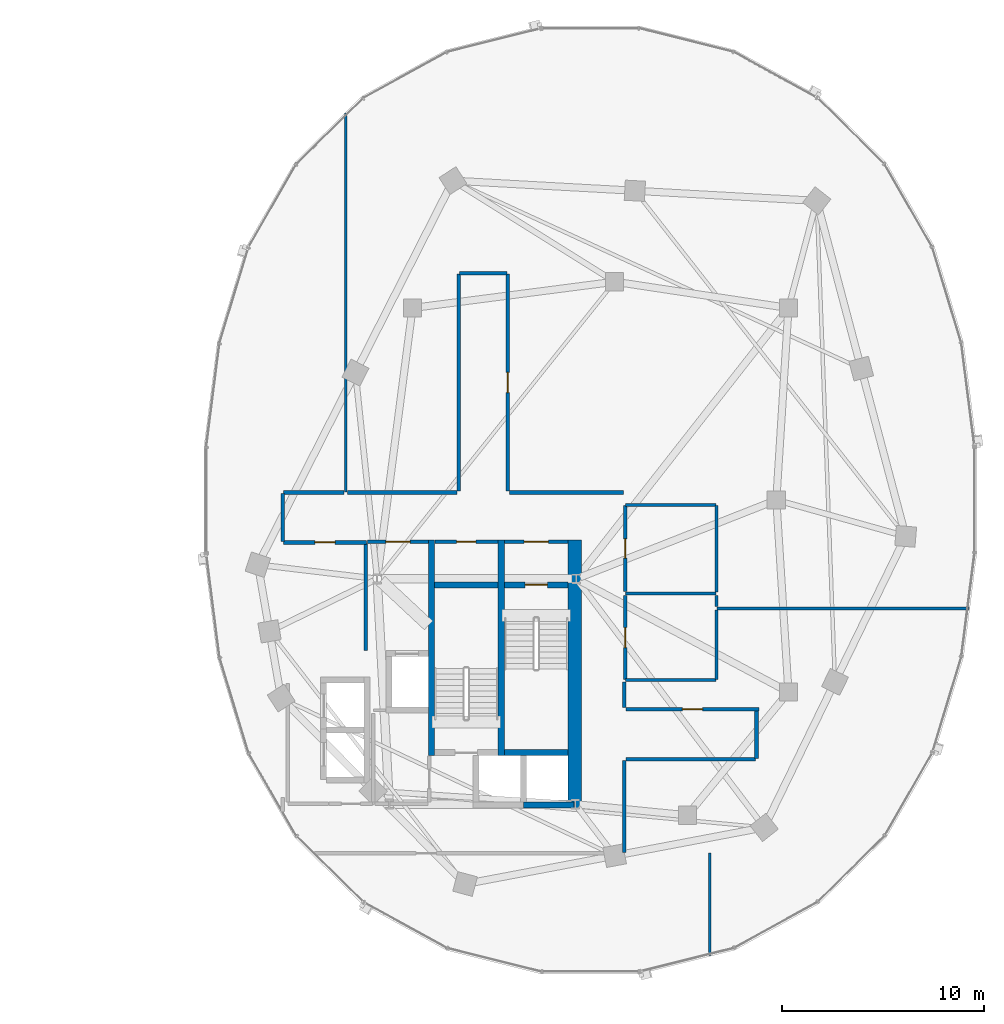
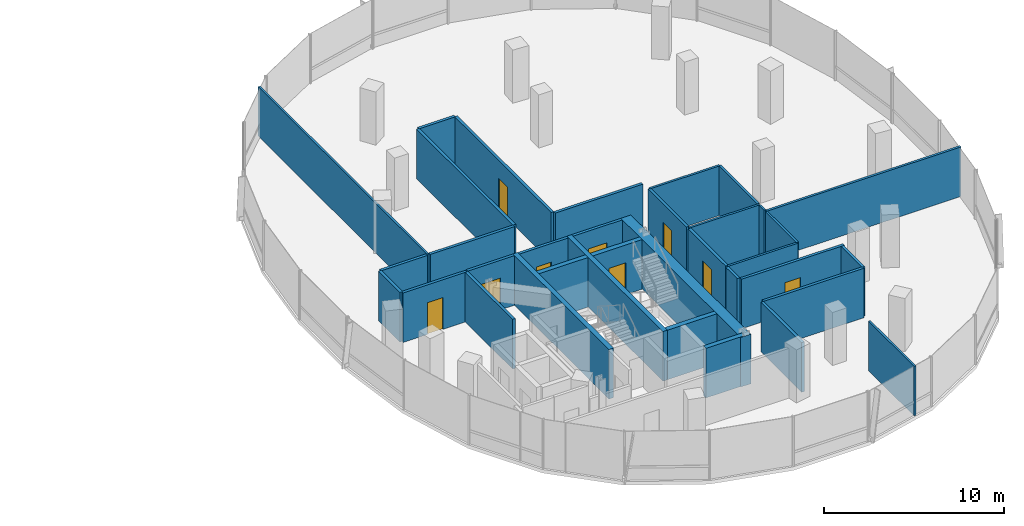
# One storey, part 14 of 22: 35 walls, 9 doors, 9 openings.
"""IFC4 building model written with IfcOpenShell, lengths in metres."""

from ifc_helpers import new_model, si_unit, direction, frame, frame_2d, origin, place, context, subcontext, project, spatial, rectangle, extrude, material, layer, layer_set, type_object, element, fill, save


model = new_model("IFC4")

# Units and contexts
model_context = context("Model", 3, precision=1e-05, world=origin(), true_north=direction((0.0, 1.0)))
body_context = subcontext(model_context, "Body", "Model", "MODEL_VIEW")
ifc_project = project(units=[si_unit("LENGTHUNIT", "METRE"), si_unit("AREAUNIT", "SQUARE_METRE"), si_unit("VOLUMEUNIT", "CUBIC_METRE"), si_unit("PLANEANGLEUNIT", "RADIAN"), si_unit("MASSUNIT", "GRAM", prefix="KILO"), si_unit("THERMODYNAMICTEMPERATUREUNIT", "KELVIN"), si_unit("POWERUNIT", "WATT")], contexts=[model_context])

# Site, building, storey
site_placement = place(None, origin())
site = spatial("IfcSite", under=ifc_project, at=site_placement, CompositionType="ELEMENT")
building_placement = place(site_placement, origin())
building = spatial("IfcBuilding", under=site, at=building_placement, Name="Cundina Bronze Exchange", CompositionType="ELEMENT")
storey_placement = place(building_placement, frame((0.0, 0.0, 140.39990234375)))
storey = spatial("IfcBuildingStorey", under=building, at=storey_placement, Name="L36", CompositionType="ELEMENT", Elevation=140.39990234375)

# Wall
ifc_material_1 = material(Name="Gypsum Fireboard Partition EI120")
ifc_layer_1 = layer(ifc_material_1, 0.179931640625, Name="Gypsum Fireboard Partition EI120")
ifc_layer_set_1 = layer_set([ifc_layer_1], Name="Gypsum Fireboard Partition EI120")
wall_type_1 = type_object("IfcWallType", Name="WL-COR-180", PredefinedType="PARTITIONING", material=ifc_layer_set_1)
wall_1_placement = place(storey_placement, frame((20.889892578125, -7.449951171875, 0.0), z_axis=(0.0, 0.0, 1.0), x_axis=(0.0, 1.0, 0.0)))
element("IfcWall", 1, at=wall_1_placement, inside=storey, type_object=wall_type_1, Name="L36 E Firefighting Lobby Side Wall", PredefinedType="PARTITIONING", context=body_context, shape_type="SweptSolid", body=[
    extrude(rectangle(XDim=5.300048828125, YDim=0.179931640625, at=frame_2d((2.64990234375, 0.0))), origin(), (0.0, 0.0, 1.0), 3.360107421875),
])

# Wall, opening, door
wall_2_placement = place(storey_placement, frame((20.97998046875, -2.06005859375, 0.0), z_axis=(0.0, 0.0, 1.0), x_axis=(1.0, 0.0, 0.0)))
wall_2 = element("IfcWall", 2, at=wall_2_placement, inside=storey, type_object=wall_type_1, Name="L36 E Firefighting Lobby Exit Wall", PredefinedType="PARTITIONING", context=body_context, shape_type="SweptSolid", body=[
    extrude(rectangle(XDim=3.0, YDim=0.179931640625, at=frame_2d((1.5, 0.0))), origin(), (0.0, 0.0, 1.0), 3.360107421875),
])
opening_1_placement = place(wall_2_placement, frame((0.89990234375, 0.0, 0.0)))
opening_1 = element("IfcOpeningElement", 3, at=opening_1_placement, cuts=wall_2, Name="Opening DF-01", PredefinedType="OPENING", context=body_context, shape_type="SweptSolid", body=[
    extrude(rectangle(XDim=1.199951171875, YDim=2.14990234375, at=frame_2d((0.60009765625, 1.074951171875))), frame((0.0, 0.099853515625, 0.0), z_axis=(0.0, -1.0, 0.0), x_axis=(1.0, 0.0, 0.0)), (0.0, 0.0, 1.0), 0.199951171875),
])
ifc_material_2 = material(Name="Steel ASTM A36 Painted", Category="steel")
door_type_1 = type_object("IfcDoorType", Name="DR-FFL-1200", OperationType="NOTDEFINED", PredefinedType="DOOR", material=ifc_material_2)
door_1_placement = place(opening_1_placement, origin())
door_1 = element("IfcDoor", 4, at=door_1_placement, inside=storey, type_object=door_type_1, Name="L36 E Firefighting Lobby Door", OperationType="SINGLE_SWING_LEFT", OverallHeight=2.14990234375, OverallWidth=1.199951171875, PredefinedType="DOOR", context=body_context, shape_type="SweptSolid", body=[
    extrude(rectangle(XDim=1.199951171875, YDim=2.14990234375, at=frame_2d((0.60009765625, 1.074951171875))), frame((0.0, 0.02490234375, 0.0), z_axis=(0.0, -1.0, 0.0), x_axis=(1.0, 0.0, 0.0)), (0.0, 0.0, 1.0), 0.050048828125),
])
fill(opening_1, door_1)

wall_3_placement = place(storey_placement, frame((27.739990234375, -2.06005859375, 0.0), z_axis=(0.0, 0.0, 1.0), x_axis=(1.0, 0.0, 0.0)))
wall_3 = element("IfcWall", 5, at=wall_3_placement, inside=storey, type_object=wall_type_1, Name="L36 E Stair Vestibule Exit Wall", PredefinedType="PARTITIONING", context=body_context, shape_type="SweptSolid", body=[
    extrude(rectangle(XDim=3.159912109375, YDim=0.179931640625, at=frame_2d((1.580078125, 0.0))), origin(), (0.0, 0.0, 1.0), 3.360107421875),
])
opening_2_placement = place(wall_3_placement, frame((0.97998046875, 0.0, 0.0)))
opening_2 = element("IfcOpeningElement", 6, at=opening_2_placement, cuts=wall_3, Name="Opening DF-01", PredefinedType="OPENING", context=body_context, shape_type="SweptSolid", body=[
    extrude(rectangle(XDim=1.199951171875, YDim=2.14990234375, at=frame_2d((0.60009765625, 1.074951171875))), frame((0.0, 0.099853515625, 0.0), z_axis=(0.0, -1.0, 0.0), x_axis=(1.0, 0.0, 0.0)), (0.0, 0.0, 1.0), 0.199951171875),
])
door_2_placement = place(opening_2_placement, origin())
door_2 = element("IfcDoor", 7, at=door_2_placement, inside=storey, type_object=door_type_1, Name="L36 E Stair Vestibule Door", OperationType="SINGLE_SWING_RIGHT", OverallHeight=2.14990234375, OverallWidth=1.199951171875, PredefinedType="DOOR", context=body_context, shape_type="SweptSolid", body=[
    extrude(rectangle(XDim=1.199951171875, YDim=2.14990234375, at=frame_2d((0.60009765625, 1.074951171875))), frame((0.0, 0.02490234375, 0.0), z_axis=(0.0, -1.0, 0.0), x_axis=(1.0, 0.0, 0.0)), (0.0, 0.0, 1.0), 0.050048828125),
])
fill(opening_2, door_2)

wall_4_placement = place(storey_placement, frame((24.300048828125, -2.070068359375, 0.0), z_axis=(0.0, 0.0, 1.0), x_axis=(1.0, 0.0, 0.0)))
wall_4 = element("IfcWall", 8, at=wall_4_placement, inside=storey, type_object=wall_type_1, Name="L36 Interior Partition 044", PredefinedType="PARTITIONING", context=body_context, shape_type="SweptSolid", body=[
    extrude(rectangle(XDim=3.119873046875, YDim=0.179931640625, at=frame_2d((1.56005859375, 0.0))), origin(), (0.0, 0.0, 1.0), 3.360107421875),
])
opening_3_placement = place(wall_4_placement, frame((1.0849609375, 0.0, 0.0)))
opening_3 = element("IfcOpeningElement", 9, at=opening_3_placement, cuts=wall_4, Name="Opening DW-01", PredefinedType="OPENING", context=body_context, shape_type="SweptSolid", body=[
    extrude(rectangle(XDim=0.949951171875, YDim=2.10009765625, at=frame_2d((0.47509765625, 1.050048828125))), frame((0.0, 0.099853515625, 0.0), z_axis=(0.0, -1.0, 0.0), x_axis=(1.0, 0.0, 0.0)), (0.0, 0.0, 1.0), 0.199951171875),
])
ifc_material_3 = material(Name="Solid Andean Oak Timber Grade A", Category="wood")
door_type_2 = type_object("IfcDoorType", Name="DR-WC-950", OperationType="NOTDEFINED", PredefinedType="DOOR", material=ifc_material_3)
door_3_placement = place(opening_3_placement, origin())
door_3 = element("IfcDoor", 10, at=door_3_placement, inside=storey, type_object=door_type_2, Name="L36 Interior Door 044", OperationType="SINGLE_SWING_RIGHT", OverallHeight=2.10009765625, OverallWidth=0.949951171875, PredefinedType="DOOR", context=body_context, shape_type="SweptSolid", body=[
    extrude(rectangle(XDim=0.949951171875, YDim=2.10009765625, at=frame_2d((0.47509765625, 1.050048828125))), frame((0.0, 0.02490234375, 0.0), z_axis=(0.0, -1.0, 0.0), x_axis=(1.0, 0.0, 0.0)), (0.0, 0.0, 1.0), 0.050048828125),
])
fill(opening_3, door_3)

wall_5_placement = place(storey_placement, frame((33.719970703125, -4.530029296875, 0.0), z_axis=(0.0, 0.0, 1.0), x_axis=(0.0, 1.0, 0.0)))
wall_5 = element("IfcWall", 11, at=wall_5_placement, inside=storey, type_object=wall_type_1, Name="L36 Interior Partition 052", PredefinedType="PARTITIONING", context=body_context, shape_type="SweptSolid", body=[
    extrude(rectangle(XDim=4.260009765625, YDim=0.179931640625, at=frame_2d((2.1298828125, 0.0))), origin(), (0.0, 0.0, 1.0), 3.360107421875),
])
opening_4_placement = place(wall_5_placement, frame((1.655029296875, 0.0, 0.0)))
opening_4 = element("IfcOpeningElement", 12, at=opening_4_placement, cuts=wall_5, Name="Opening DW-01", PredefinedType="OPENING", context=body_context, shape_type="SweptSolid", body=[
    extrude(rectangle(XDim=0.949951171875, YDim=2.10009765625, at=frame_2d((0.47509765625, 1.050048828125))), frame((0.0, 0.099853515625, 0.0), z_axis=(0.0, -1.0, 0.0), x_axis=(1.0, 0.0, 0.0)), (0.0, 0.0, 1.0), 0.199951171875),
])
door_4_placement = place(opening_4_placement, origin())
door_4 = element("IfcDoor", 13, at=door_4_placement, inside=storey, type_object=door_type_2, Name="L36 Interior Door 052", OperationType="SINGLE_SWING_LEFT", OverallHeight=2.10009765625, OverallWidth=0.949951171875, PredefinedType="DOOR", context=body_context, shape_type="SweptSolid", body=[
    extrude(rectangle(XDim=0.949951171875, YDim=2.10009765625, at=frame_2d((0.47509765625, 1.050048828125))), frame((0.0, 0.02490234375, 0.0), z_axis=(0.0, -1.0, 0.0), x_axis=(1.0, 0.0, 0.0)), (0.0, 0.0, 1.0), 0.050048828125),
])
fill(opening_4, door_4)

wall_6_placement = place(storey_placement, frame((33.719970703125, -8.889892578125, 0.0), z_axis=(0.0, 0.0, 1.0), x_axis=(0.0, 1.0, 0.0)))
wall_6 = element("IfcWall", 14, at=wall_6_placement, inside=storey, type_object=wall_type_1, Name="L36 Interior Partition 053", PredefinedType="PARTITIONING", context=body_context, shape_type="SweptSolid", body=[
    extrude(rectangle(XDim=4.159912109375, YDim=0.179931640625, at=frame_2d((2.080078125, 0.0))), origin(), (0.0, 0.0, 1.0), 3.360107421875),
])
opening_5_placement = place(wall_6_placement, frame((1.580078125, 0.0, 0.0)))
opening_5 = element("IfcOpeningElement", 15, at=opening_5_placement, cuts=wall_6, Name="Opening DO-01", PredefinedType="OPENING", context=body_context, shape_type="SweptSolid", body=[
    extrude(rectangle(XDim=1.0, YDim=2.14990234375, at=frame_2d((0.5, 1.074951171875))), frame((0.0, 0.099853515625, 0.0), z_axis=(0.0, -1.0, 0.0), x_axis=(1.0, 0.0, 0.0)), (0.0, 0.0, 1.0), 0.199951171875),
])
door_type_3 = type_object("IfcDoorType", Name="DR-OFF-1000", OperationType="NOTDEFINED", PredefinedType="DOOR", material=ifc_material_3)
door_5_placement = place(opening_5_placement, origin())
door_5 = element("IfcDoor", 16, at=door_5_placement, inside=storey, type_object=door_type_3, Name="L36 Interior Door 053", OperationType="SINGLE_SWING_LEFT", OverallHeight=2.14990234375, OverallWidth=1.0, PredefinedType="DOOR", context=body_context, shape_type="SweptSolid", body=[
    extrude(rectangle(XDim=1.0, YDim=2.14990234375, at=frame_2d((0.5, 1.074951171875))), frame((0.0, 0.02490234375, 0.0), z_axis=(0.0, -1.0, 0.0), x_axis=(1.0, 0.0, 0.0)), (0.0, 0.0, 1.0), 0.050048828125),
])
fill(opening_5, door_5)

# Walls
wall_7_placement = place(storey_placement, frame((33.75, -12.820068359375, 0.0), z_axis=(0.0, 0.0, 1.0), x_axis=(1.0, 0.0, 0.0)))
element("IfcWall", 17, at=wall_7_placement, inside=storey, type_object=wall_type_1, Name="L36 Interior Partition 058", PredefinedType="PARTITIONING", context=body_context, shape_type="SweptSolid", body=[
    extrude(rectangle(XDim=6.428466796875, YDim=0.179931640625, at=frame_2d((3.21435546875, 0.0))), origin(), (0.0, 0.0, 1.0), 3.360107421875),
])
wall_8_placement = place(storey_placement, frame((33.669921875, -17.428466796875, 0.0), z_axis=(0.0, 0.0, 1.0), x_axis=(0.0, 1.0, 0.0)))
element("IfcWall", 18, at=wall_8_placement, inside=storey, type_object=wall_type_1, Name="L36 Interior Partition 059", PredefinedType="PARTITIONING", context=body_context, shape_type="SweptSolid", body=[
    extrude(rectangle(XDim=4.528564453125, YDim=0.179931640625, at=frame_2d((2.26416015625, 0.0))), origin(), (0.0, 0.0, 1.0), 3.360107421875),
])
wall_9_placement = place(storey_placement, frame((40.219970703125, -12.778564453125, 0.0), z_axis=(0.0, 0.0, 1.0), x_axis=(0.0, 1.0, 0.0)))
element("IfcWall", 19, at=wall_9_placement, inside=storey, type_object=wall_type_1, Name="L36 Interior Partition 060", PredefinedType="PARTITIONING", context=body_context, shape_type="SweptSolid", body=[
    extrude(rectangle(XDim=2.32861328125, YDim=0.179931640625, at=frame_2d((1.164306640625, 0.0))), origin(), (0.0, 0.0, 1.0), 3.360107421875),
])

# Wall, opening, door
wall_10_placement = place(storey_placement, frame((40.352783203125, -10.35009765625, 0.0), z_axis=(0.0, 0.0, 1.0), x_axis=(-1.0, 0.0, 0.0)))
wall_10 = element("IfcWall", 20, at=wall_10_placement, inside=storey, type_object=wall_type_1, Name="L36 Interior Partition 061", PredefinedType="PARTITIONING", context=body_context, shape_type="SweptSolid", body=[
    extrude(rectangle(XDim=6.602783203125, YDim=0.179931640625, at=frame_2d((3.30126953125, 0.0))), origin(), (0.0, 0.0, 1.0), 3.360107421875),
])
opening_6_placement = place(wall_10_placement, frame((2.801513671875, 0.0, 0.0)))
opening_6 = element("IfcOpeningElement", 21, at=opening_6_placement, cuts=wall_10, Name="Opening DO-01", PredefinedType="OPENING", context=body_context, shape_type="SweptSolid", body=[
    extrude(rectangle(XDim=1.0, YDim=2.14990234375, at=frame_2d((0.5, 1.074951171875))), frame((0.0, 0.099853515625, 0.0), z_axis=(0.0, -1.0, 0.0), x_axis=(1.0, 0.0, 0.0)), (0.0, 0.0, 1.0), 0.199951171875),
])
door_6_placement = place(opening_6_placement, origin())
door_6 = element("IfcDoor", 22, at=door_6_placement, inside=storey, type_object=door_type_3, Name="L36 Interior Door 061", OperationType="SINGLE_SWING_LEFT", OverallHeight=2.14990234375, OverallWidth=1.0, PredefinedType="DOOR", context=body_context, shape_type="SweptSolid", body=[
    extrude(rectangle(XDim=1.0, YDim=2.14990234375, at=frame_2d((0.5, 1.074951171875))), frame((0.0, 0.02490234375, 0.0), z_axis=(0.0, -1.0, 0.0), x_axis=(1.0, 0.0, 0.0)), (0.0, 0.0, 1.0), 0.050048828125),
])
fill(opening_6, door_6)

# Wall
wall_11_placement = place(storey_placement, frame((33.669921875, -10.27001953125, 0.0), z_axis=(0.0, 0.0, 1.0), x_axis=(0.0, 1.0, 0.0)))
element("IfcWall", 23, at=wall_11_placement, inside=storey, type_object=wall_type_1, Name="L36 Interior Partition 062", PredefinedType="PARTITIONING", context=body_context, shape_type="SweptSolid", body=[
    extrude(rectangle(XDim=1.2685546875, YDim=0.179931640625, at=frame_2d((0.63427734375, 0.0))), origin(), (0.0, 0.0, 1.0), 3.360107421875),
])

# Wall, opening, door
wall_12_placement = place(storey_placement, frame((16.821533203125, -2.10009765625, 0.0), z_axis=(0.0, 0.0, 1.0), x_axis=(1.0, 0.0, 0.0)))
wall_12 = element("IfcWall", 24, at=wall_12_placement, inside=storey, type_object=wall_type_1, Name="L36 Interior Partition 063", PredefinedType="PARTITIONING", context=body_context, shape_type="SweptSolid", body=[
    extrude(rectangle(XDim=4.098388671875, YDim=0.179931640625, at=frame_2d((2.04931640625, 0.0))), origin(), (0.0, 0.0, 1.0), 3.360107421875),
])
opening_7_placement = place(wall_12_placement, frame((1.54931640625, 0.0, 0.0)))
opening_7 = element("IfcOpeningElement", 25, at=opening_7_placement, cuts=wall_12, Name="Opening DO-01", PredefinedType="OPENING", context=body_context, shape_type="SweptSolid", body=[
    extrude(rectangle(XDim=1.0, YDim=2.14990234375, at=frame_2d((0.5, 1.074951171875))), frame((0.0, 0.099853515625, 0.0), z_axis=(0.0, -1.0, 0.0), x_axis=(1.0, 0.0, 0.0)), (0.0, 0.0, 1.0), 0.199951171875),
])
door_7_placement = place(opening_7_placement, origin())
door_7 = element("IfcDoor", 26, at=door_7_placement, inside=storey, type_object=door_type_3, Name="L36 Interior Door 063", OperationType="SINGLE_SWING_RIGHT", OverallHeight=2.14990234375, OverallWidth=1.0, PredefinedType="DOOR", context=body_context, shape_type="SweptSolid", body=[
    extrude(rectangle(XDim=1.0, YDim=2.14990234375, at=frame_2d((0.5, 1.074951171875))), frame((0.0, 0.02490234375, 0.0), z_axis=(0.0, -1.0, 0.0), x_axis=(1.0, 0.0, 0.0)), (0.0, 0.0, 1.0), 0.050048828125),
])
fill(opening_7, door_7)

# Walls
wall_13_placement = place(storey_placement, frame((19.81005859375, 0.3701171875, 0.0), z_axis=(0.0, 0.0, 1.0), x_axis=(-1.0, 0.0, 0.0)))
element("IfcWall", 27, at=wall_13_placement, inside=storey, type_object=wall_type_1, Name="L36 Interior Partition 064", PredefinedType="PARTITIONING", context=body_context, shape_type="SweptSolid", body=[
    extrude(rectangle(XDim=2.988525390625, YDim=0.179931640625, at=frame_2d((1.494140625, 0.0))), origin(), (0.0, 0.0, 1.0), 3.360107421875),
])
wall_14_placement = place(storey_placement, frame((16.780029296875, 0.32861328125, 0.0), z_axis=(0.0, 0.0, 1.0), x_axis=(0.0, -1.0, 0.0)))
element("IfcWall", 28, at=wall_14_placement, inside=storey, type_object=wall_type_1, Name="L36 Interior Partition 065", PredefinedType="PARTITIONING", context=body_context, shape_type="SweptSolid", body=[
    extrude(rectangle(XDim=2.38720703125, YDim=0.179931640625, at=frame_2d((1.193603515625, 0.0))), origin(), (0.0, 0.0, 1.0), 3.360107421875),
])

# Wall, opening, door
wall_15_placement = place(storey_placement, frame((27.919921875, 0.449951171875, 0.0), z_axis=(0.0, 0.0, 1.0), x_axis=(0.0, 1.0, 0.0)))
wall_15 = element("IfcWall", 29, at=wall_15_placement, inside=storey, type_object=wall_type_1, Name="L36 Interior Partition 067", PredefinedType="PARTITIONING", context=body_context, shape_type="SweptSolid", body=[
    extrude(rectangle(XDim=10.728515625, YDim=0.179931640625, at=frame_2d((5.3642578125, 0.0))), origin(), (0.0, 0.0, 1.0), 3.360107421875),
])
opening_8_placement = place(wall_15_placement, frame((4.8642578125, 0.0, 0.0)))
opening_8 = element("IfcOpeningElement", 30, at=opening_8_placement, cuts=wall_15, Name="Opening DO-01", PredefinedType="OPENING", context=body_context, shape_type="SweptSolid", body=[
    extrude(rectangle(XDim=1.0, YDim=2.14990234375, at=frame_2d((0.5, 1.074951171875))), frame((0.0, 0.099853515625, 0.0), z_axis=(0.0, -1.0, 0.0), x_axis=(1.0, 0.0, 0.0)), (0.0, 0.0, 1.0), 0.199951171875),
])
door_8_placement = place(opening_8_placement, origin())
door_8 = element("IfcDoor", 31, at=door_8_placement, inside=storey, type_object=door_type_3, Name="L36 Interior Door 067", OperationType="SINGLE_SWING_RIGHT", OverallHeight=2.14990234375, OverallWidth=1.0, PredefinedType="DOOR", context=body_context, shape_type="SweptSolid", body=[
    extrude(rectangle(XDim=1.0, YDim=2.14990234375, at=frame_2d((0.5, 1.074951171875))), frame((0.0, 0.02490234375, 0.0), z_axis=(0.0, -1.0, 0.0), x_axis=(1.0, 0.0, 0.0)), (0.0, 0.0, 1.0), 0.050048828125),
])
fill(opening_8, door_8)

# Walls
wall_16_placement = place(storey_placement, frame((25.47998046875, 11.178466796875, 0.0), z_axis=(0.0, 0.0, 1.0), x_axis=(0.0, -1.0, 0.0)))
element("IfcWall", 32, at=wall_16_placement, inside=storey, type_object=wall_type_1, Name="L36 Interior Partition 068", PredefinedType="PARTITIONING", context=body_context, shape_type="SweptSolid", body=[
    extrude(rectangle(XDim=10.728515625, YDim=0.179931640625, at=frame_2d((5.3642578125, 0.0))), origin(), (0.0, 0.0, 1.0), 3.360107421875),
])
wall_17_placement = place(storey_placement, frame((33.62841796875, 0.3701171875, 0.0), z_axis=(0.0, 0.0, 1.0), x_axis=(-1.0, 0.0, 0.0)))
element("IfcWall", 33, at=wall_17_placement, inside=storey, type_object=wall_type_1, Name="L36 Interior Partition 069", PredefinedType="PARTITIONING", context=body_context, shape_type="SweptSolid", body=[
    extrude(rectangle(XDim=5.62841796875, YDim=0.179931640625, at=frame_2d((2.814208984375, 0.0))), origin(), (0.0, 0.0, 1.0), 3.360107421875),
])
wall_18_placement = place(storey_placement, frame((25.39990234375, 0.3701171875, 0.0), z_axis=(0.0, 0.0, 1.0), x_axis=(-1.0, 0.0, 0.0)))
element("IfcWall", 34, at=wall_18_placement, inside=storey, type_object=wall_type_1, Name="L36 Interior Partition 070", PredefinedType="PARTITIONING", context=body_context, shape_type="SweptSolid", body=[
    extrude(rectangle(XDim=5.409912109375, YDim=0.179931640625, at=frame_2d((2.705078125, 0.0))), origin(), (0.0, 0.0, 1.0), 3.360107421875),
])
wall_19_placement = place(storey_placement, frame((27.87841796875, 11.219970703125, 0.0), z_axis=(0.0, 0.0, 1.0), x_axis=(-1.0, 0.0, 0.0)))
element("IfcWall", 35, at=wall_19_placement, inside=storey, type_object=wall_type_1, Name="L36 Interior Partition 071", PredefinedType="PARTITIONING", context=body_context, shape_type="SweptSolid", body=[
    extrude(rectangle(XDim=2.35693359375, YDim=0.179931640625, at=frame_2d((1.178466796875, 0.0))), origin(), (0.0, 0.0, 1.0), 3.360107421875),
])
ifc_material_4 = material(Name="Concrete C50/60", Category="concrete")
ifc_layer_2 = layer(ifc_material_4, 0.64990234375, Name="Concrete C50/60", Category="concrete")
ifc_layer_set_2 = layer_set([ifc_layer_2], Name="Concrete C50/60")
wall_type_2 = type_object("IfcWallType", Name="WL-CORE-650", PredefinedType="SHEAR", material=ifc_layer_set_2)
wall_20_placement = place(storey_placement, frame((31.22509765625, -15.300048828125, 0.0), z_axis=(0.0, 0.0, 1.0), x_axis=(0.0, 1.0, 0.0)))
element("IfcWall", 36, at=wall_20_placement, inside=storey, type_object=wall_type_2, Name="L36 E Primary Core Shear Spine Wall", PredefinedType="SHEAR", context=body_context, shape_type="SweptSolid", body=[
    extrude(rectangle(XDim=13.330078125, YDim=0.64990234375, at=frame_2d((6.6650390625, 0.0))), origin(), (0.0, 0.0, 1.0), 3.360107421875),
])
ifc_material_5 = material(Name="Gypsum Acoustic Partition EI60")
ifc_layer_3 = layer(ifc_material_5, 0.125, Name="Gypsum Acoustic Partition EI60")
ifc_layer_set_3 = layer_set([ifc_layer_3], Name="Gypsum Acoustic Partition EI60")
wall_type_3 = type_object("IfcWallType", Name="WL-OFF-125", PredefinedType="PARTITIONING", material=ifc_layer_set_3)
wall_21_placement = place(storey_placement, frame((19.89990234375, 0.39990234375, 0.0), z_axis=(0.0, 0.0, 1.0), x_axis=(0.0, 1.0, 0.0)))
element("IfcWall", 37, at=wall_21_placement, inside=storey, type_object=wall_type_3, Name="L36 Interior Partition 054", PredefinedType="PARTITIONING", context=body_context, shape_type="SweptSolid", body=[
    extrude(rectangle(XDim=18.73681640625, YDim=0.125, at=frame_2d((9.368408203125, 0.0))), origin(), (0.0, 0.0, 1.0), 3.360107421875),
])
wall_22_placement = place(storey_placement, frame((37.89990234375, -22.5361328125, 0.0), z_axis=(0.0, 0.0, 1.0), x_axis=(0.0, 1.0, 0.0)))
element("IfcWall", 38, at=wall_22_placement, inside=storey, type_object=wall_type_3, Name="L36 Interior Partition 056", PredefinedType="PARTITIONING", context=body_context, shape_type="SweptSolid", body=[
    extrude(rectangle(XDim=5.066162109375, YDim=0.125, at=frame_2d((2.533203125, 0.0))), origin(), (0.0, 0.0, 1.0), 3.360107421875),
])
ifc_layer_4 = layer(ifc_material_4, 0.300048828125, Name="Concrete C50/60", Category="concrete")
ifc_layer_set_4 = layer_set([ifc_layer_4], Name="Concrete C50/60")
wall_type_4 = type_object("IfcWallType", Name="WL-SHFT-300", PredefinedType="SHEAR", material=ifc_layer_set_4)
for number, where, z_axis, x_axis, name in (
    (39, (27.590087890625, -12.64990234375, 0.0), (0.0, 0.0, 1.0), (0.0, 1.0, 0.0), "L36 E Stair Shaft Dividing Shear Wall"),
    (40, (24.1298828125, -12.64990234375, 0.0), (0.0, 0.0, 1.0), (0.0, 1.0, 0.0), "L36 E Stair 2 East Shear Wall"),
):
    element("IfcWall", number, at=place(storey_placement, frame(where, z_axis=z_axis, x_axis=x_axis)), inside=storey, type_object=wall_type_4, Name=name, PredefinedType="SHEAR", context=body_context, shape_type="SweptSolid", body=[
        extrude(rectangle(XDim=10.679931640625, YDim=0.300048828125, at=frame_2d((5.33984375, 0.0))), origin(), (0.0, 0.0, 1.0), 3.360107421875),
    ])

# Wall, opening, door
wall_23_placement = place(storey_placement, frame((27.739990234375, -4.199951171875, 0.0), z_axis=(0.0, 0.0, 1.0), x_axis=(1.0, 0.0, 0.0)))
wall_23 = element("IfcWall", 41, at=wall_23_placement, inside=storey, type_object=wall_type_4, Name="L36 Stair E1 Landing Wall", PredefinedType="SHEAR", context=body_context, shape_type="SweptSolid", body=[
    extrude(rectangle(XDim=3.159912109375, YDim=0.300048828125, at=frame_2d((1.580078125, 0.0))), origin(), (0.0, 0.0, 1.0), 3.360107421875),
])
opening_9_placement = place(wall_23_placement, frame((1.030029296875, 0.0, 0.0)))
opening_9 = element("IfcOpeningElement", 42, at=opening_9_placement, cuts=wall_23, Name="Opening DS-01", PredefinedType="OPENING", context=body_context, shape_type="SweptSolid", body=[
    extrude(rectangle(XDim=1.10009765625, YDim=2.14990234375, at=frame_2d((0.550048828125, 1.074951171875))), frame((0.0, 0.159912109375, 0.0), z_axis=(0.0, -1.0, 0.0), x_axis=(1.0, 0.0, 0.0)), (0.0, 0.0, 1.0), 0.320068359375),
])
door_type_4 = type_object("IfcDoorType", Name="DR-STR-1100", OperationType="NOTDEFINED", PredefinedType="DOOR", material=ifc_material_2)
door_9_placement = place(opening_9_placement, origin())
door_9 = element("IfcDoor", 43, at=door_9_placement, inside=storey, type_object=door_type_4, Name="L36 Smokeproof Stair E1 Door", OperationType="SINGLE_SWING_LEFT", OverallHeight=2.14990234375, OverallWidth=1.10009765625, PredefinedType="DOOR", context=body_context, shape_type="SweptSolid", body=[
    extrude(rectangle(XDim=1.10009765625, YDim=2.14990234375, at=frame_2d((0.550048828125, 1.074951171875))), frame((0.0, 0.02490234375, 0.0), z_axis=(0.0, -1.0, 0.0), x_axis=(1.0, 0.0, 0.0)), (0.0, 0.0, 1.0), 0.050048828125),
])
fill(opening_9, door_9)

# Walls
for number, where, z_axis, x_axis, name in (
    (44, (27.739990234375, -12.5, 0.0), (0.0, 0.0, 1.0), (1.0, 0.0, 0.0), "L36 Stair E1 Far Shaft Wall"),
    (45, (24.280029296875, -4.199951171875, 0.0), (0.0, 0.0, 1.0), (1.0, 0.0, 0.0), "L36 Stair E2 Far Shaft Wall"),
):
    element("IfcWall", number, at=place(storey_placement, frame(where, z_axis=z_axis, x_axis=x_axis)), inside=storey, type_object=wall_type_4, Name=name, PredefinedType="SHEAR", context=body_context, shape_type="SweptSolid", body=[
        extrude(rectangle(XDim=3.159912109375, YDim=0.300048828125, at=frame_2d((1.580078125, 0.0))), origin(), (0.0, 0.0, 1.0), 3.360107421875),
    ])
wall_24_placement = place(storey_placement, frame((28.699951171875, -15.10009765625, 0.0), z_axis=(0.0, 0.0, 1.0), x_axis=(1.0, 0.0, 0.0)))
element("IfcWall", 46, at=wall_24_placement, inside=storey, type_object=wall_type_4, Name="L36 PH-E1 Hoistway Front Wall", PredefinedType="SHEAR", context=body_context, shape_type="SweptSolid", body=[
    extrude(rectangle(XDim=2.5, YDim=0.300048828125, at=frame_2d((1.25, 0.0))), origin(), (0.0, 0.0, 1.0), 3.360107421875),
])
ifc_layer_5 = layer(ifc_material_5, 0.14990234375, Name="Gypsum Acoustic Partition EI60")
ifc_layer_set_5 = layer_set([ifc_layer_5], Name="Gypsum Acoustic Partition EI60")
wall_type_5 = type_object("IfcWallType", Name="WL-TEN-150", PredefinedType="PARTITIONING", material=ifc_layer_set_5)
wall_25_placement = place(storey_placement, frame((38.27001953125, -5.360107421875, 0.0), z_axis=(0.0, 0.0, 1.0), x_axis=(1.0, 0.0, 0.0)))
element("IfcWall", 47, at=wall_25_placement, inside=storey, type_object=wall_type_5, Name="L36 Interior Partition 055", PredefinedType="PARTITIONING", context=body_context, shape_type="SweptSolid", body=[
    extrude(rectangle(XDim=12.455078125, YDim=0.14990234375, at=frame_2d((6.2275390625, 0.0))), origin(), (0.0, 0.0, 1.0), 3.360107421875),
])
ifc_material_6 = material(Name="Moisture-Resistant Masonry Block Grade M15", Category="masonry")
ifc_layer_6 = layer(ifc_material_6, 0.139892578125, Name="Moisture-Resistant Masonry Block Grade M15", Category="masonry")
ifc_layer_set_6 = layer_set([ifc_layer_6], Name="Moisture-Resistant Masonry Block Grade M15")
wall_type_6 = type_object("IfcWallType", Name="WL-WET-140", PredefinedType="PARTITIONING", material=ifc_layer_set_6)
wall_26_placement = place(storey_placement, frame((38.239990234375, -8.889892578125, 0.0), z_axis=(0.0, 0.0, 1.0), x_axis=(0.0, 1.0, 0.0)))
element("IfcWall", 48, at=wall_26_placement, inside=storey, type_object=wall_type_6, Name="L36 Interior Partition 046", PredefinedType="PARTITIONING", context=body_context, shape_type="SweptSolid", body=[
    extrude(rectangle(XDim=3.44482421875, YDim=0.139892578125, at=frame_2d((1.722412109375, 0.0))), origin(), (0.0, 0.0, 1.0), 3.360107421875),
])
wall_27_placement = place(storey_placement, frame((38.239990234375, -5.27490234375, 0.0), z_axis=(0.0, 0.0, 1.0), x_axis=(0.0, 1.0, 0.0)))
element("IfcWall", 49, at=wall_27_placement, inside=storey, type_object=wall_type_6, Name="L36 Interior Partition 047", PredefinedType="PARTITIONING", context=body_context, shape_type="SweptSolid", body=[
    extrude(rectangle(XDim=0.559814453125, YDim=0.139892578125, at=frame_2d((0.27978515625, 0.0))), origin(), (0.0, 0.0, 1.0), 3.360107421875),
])
wall_28_placement = place(storey_placement, frame((38.239990234375, -4.544921875, 0.0), z_axis=(0.0, 0.0, 1.0), x_axis=(0.0, 1.0, 0.0)))
element("IfcWall", 50, at=wall_28_placement, inside=storey, type_object=wall_type_6, Name="L36 Interior Partition 048", PredefinedType="PARTITIONING", context=body_context, shape_type="SweptSolid", body=[
    extrude(rectangle(XDim=4.27490234375, YDim=0.139892578125, at=frame_2d((2.137451171875, 0.0))), origin(), (0.0, 0.0, 1.0), 3.360107421875),
])
for number, where, z_axis, x_axis, name in (
    (51, (33.739990234375, -0.25, 0.0), (0.0, 0.0, 1.0), (1.0, 0.0, 0.0), "L36 Interior Partition 049"),
    (52, (33.739990234375, -4.6298828125, 0.0), (0.0, 0.0, 1.0), (1.0, 0.0, 0.0), "L36 Interior Partition 050"),
    (53, (33.739990234375, -8.909912109375, 0.0), (0.0, 0.0, 1.0), (1.0, 0.0, 0.0), "L36 Interior Partition 051"),
):
    element("IfcWall", number, at=place(storey_placement, frame(where, z_axis=z_axis, x_axis=x_axis)), inside=storey, type_object=wall_type_6, Name=name, PredefinedType="PARTITIONING", context=body_context, shape_type="SweptSolid", body=[
        extrude(rectangle(XDim=4.47998046875, YDim=0.139892578125, at=frame_2d((2.239990234375, 0.0))), origin(), (0.0, 0.0, 1.0), 3.360107421875),
    ])

save(model, "model.ifc")
